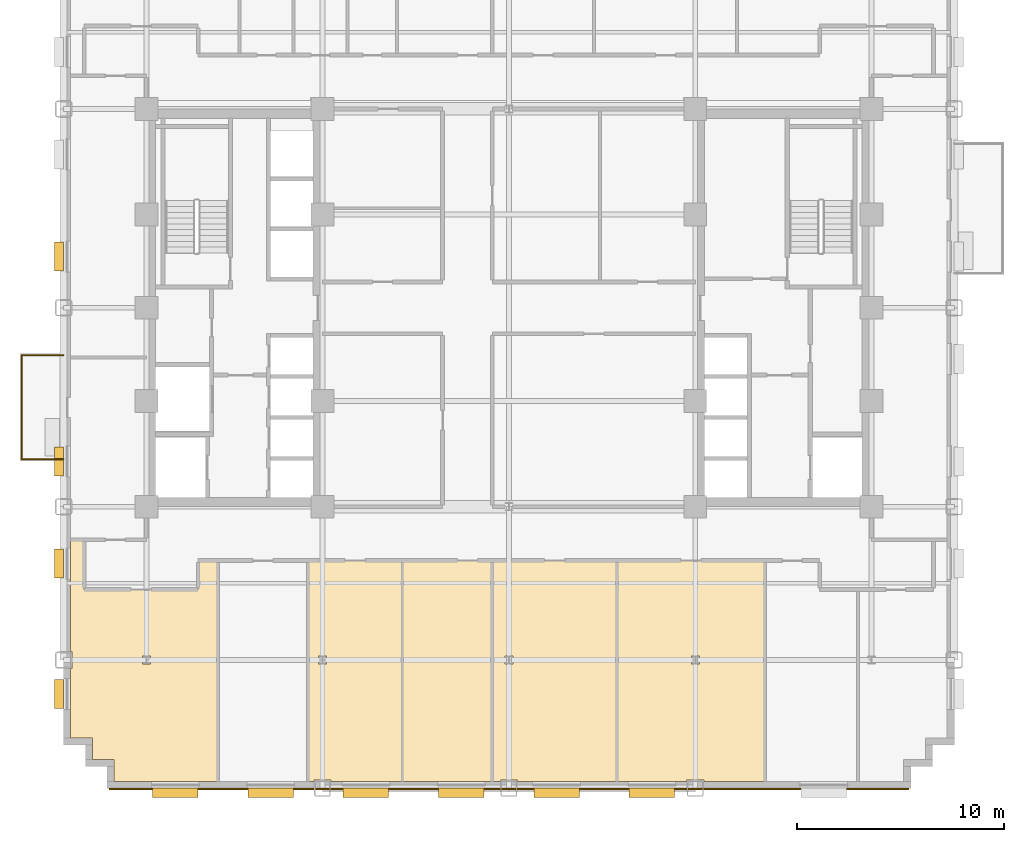
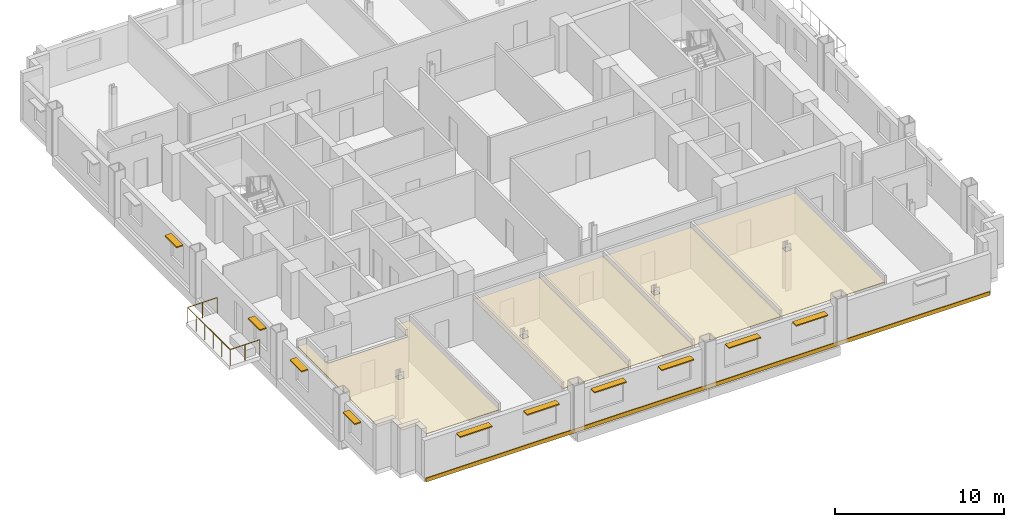
# One storey, part 11 of 14: 10 shading devices, 6 coverings, 1 railing.
"""IFC4 building model written with IfcOpenShell, lengths in metres."""

from ifc_helpers import new_model, si_unit, direction, frame, origin, origin_2d, place, context, subcontext, project, spatial, polyline, rectangle, circle, outline, extrude, source, transform, mapped, material, layer, layer_set, type_object, type_shapes, element, save


model = new_model("IFC4")

# Units and contexts
model_context = context("Model", 3, precision=1e-05, world=origin(), true_north=direction((0.0, 1.0)))
body_context = subcontext(model_context, "Body", "Model", "MODEL_VIEW")
ifc_project = project(units=[si_unit("LENGTHUNIT", "METRE"), si_unit("AREAUNIT", "SQUARE_METRE"), si_unit("VOLUMEUNIT", "CUBIC_METRE"), si_unit("PLANEANGLEUNIT", "RADIAN"), si_unit("MASSUNIT", "GRAM", prefix="KILO")], contexts=[model_context])

# Site, building, storey
site_placement = place(None, origin())
site = spatial("IfcSite", under=ifc_project, at=site_placement, CompositionType="ELEMENT")
building_placement = place(site_placement, origin())
building = spatial("IfcBuilding", under=site, at=building_placement, Name="Nuvemarco Arch Tower", CompositionType="ELEMENT")
storey_placement = place(building_placement, frame((0.0, 0.0, 75.050048828125)))
storey = spatial("IfcBuildingStorey", under=building, at=storey_placement, Name="L19", CompositionType="ELEMENT", Elevation=75.050048828125)

# Coverings
ifc_material_1 = material(Name="Mineral acoustic ceiling tile")
ifc_layer_1 = layer(ifc_material_1, 0.0400390625, Name="COV-ACOUSTIC-CLG")
ifc_layer_set_1 = layer_set([ifc_layer_1], Name="Mineral acoustic ceiling tile")
covering_type_1 = type_object("IfcCoveringType", Name="COV-ACOUSTIC-CLG", PredefinedType="CEILING", material=ifc_layer_set_1)
covering_1_placement = place(storey_placement, frame((0.0, 0.0, 2.849853515625)))
element("IfcCovering", 1, at=covering_1_placement, inside=storey, type_object=covering_type_1, Name="L19 suspended acoustic ceiling 3", PredefinedType="CEILING", context=body_context, shape_type="SweptSolid", body=[
    extrude(outline(polyline([(9.4150390625, -22.860107421875), (9.4150390625, -22.784912109375), (8.5849609375, -22.784912109375), (8.5849609375, -22.860107421875), (5.219970703125, -22.860107421875), (5.219970703125, -12.199951171875), (12.360107421875, -12.199951171875), (12.360107421875, -22.860107421875), (9.4150390625, -22.860107421875)]), holes=[polyline([(9.195068359375, -17.195068359375), (9.195068359375, -16.804931640625), (8.804931640625, -16.804931640625), (8.804931640625, -17.195068359375), (9.195068359375, -17.195068359375)])]), origin(), (0.0, 0.0, 1.0), 0.0400390625),
])
covering_2_placement = place(storey_placement, frame((0.0, 0.0, 2.849853515625)))
element("IfcCovering", 2, at=covering_2_placement, inside=storey, type_object=covering_type_1, Name="L19 suspended acoustic ceiling 5", PredefinedType="CEILING", context=body_context, shape_type="SweptSolid", body=[
    extrude(outline(polyline([(-21.159912109375, -20.760009765625), (-21.159912109375, -17.4150390625), (-21.0849609375, -17.4150390625), (-21.0849609375, -16.5849609375), (-21.159912109375, -16.5849609375), (-21.159912109375, -11.199951171875), (-20.5, -11.199951171875), (-20.5, -13.60009765625), (-15.0, -13.60009765625), (-15.0, -12.199951171875), (-14.050048828125, -12.199951171875), (-14.050048828125, -22.860107421875), (-19.06005859375, -22.860107421875), (-19.06005859375, -21.81005859375), (-20.110107421875, -21.81005859375), (-20.110107421875, -20.760009765625), (-21.159912109375, -20.760009765625)]), holes=[polyline([(-17.304931640625, -16.804931640625), (-17.695068359375, -16.804931640625), (-17.695068359375, -17.195068359375), (-17.304931640625, -17.195068359375), (-17.304931640625, -16.804931640625)])]), origin(), (0.0, 0.0, 1.0), 0.0400390625),
])
covering_3_placement = place(storey_placement, frame((0.0, 0.0, 2.849853515625)))
element("IfcCovering", 3, at=covering_3_placement, inside=storey, type_object=covering_type_1, Name="L19 suspended acoustic ceiling 6", PredefinedType="CEILING", context=body_context, shape_type="SweptSolid", body=[
    extrude(outline(polyline([(0.4150390625, -22.860107421875), (0.4150390625, -22.784912109375), (-0.4150390625, -22.784912109375), (-0.4150390625, -22.860107421875), (-0.800048828125, -22.860107421875), (-0.800048828125, -12.199951171875), (5.219970703125, -12.199951171875), (5.219970703125, -22.860107421875), (0.4150390625, -22.860107421875)]), holes=[polyline([(0.195068359375, -17.195068359375), (0.195068359375, -16.804931640625), (-0.195068359375, -16.804931640625), (-0.195068359375, -17.195068359375), (0.195068359375, -17.195068359375)])]), origin(), (0.0, 0.0, 1.0), 0.0400390625),
])
covering_4_placement = place(storey_placement, frame((0.0, 0.0, 2.849853515625)))
element("IfcCovering", 4, at=covering_4_placement, inside=storey, type_object=covering_type_1, Name="L19 suspended acoustic ceiling 8", PredefinedType="CEILING", context=body_context, shape_type="SweptSolid", body=[
    extrude(outline(polyline([(-8.5849609375, -22.860107421875), (-8.5849609375, -22.784912109375), (-9.4150390625, -22.784912109375), (-9.4150390625, -22.860107421875), (-9.699951171875, -22.860107421875), (-9.699951171875, -12.199951171875), (-5.14990234375, -12.199951171875), (-5.14990234375, -22.860107421875), (-8.5849609375, -22.860107421875)]), holes=[polyline([(-8.804931640625, -17.195068359375), (-8.804931640625, -16.804931640625), (-9.195068359375, -16.804931640625), (-9.195068359375, -17.195068359375), (-8.804931640625, -17.195068359375)])]), origin(), (0.0, 0.0, 1.0), 0.0400390625),
])
covering_5_placement = place(storey_placement, frame((0.0, 0.0, 2.849853515625)))
element("IfcCovering", 5, at=covering_5_placement, inside=storey, type_object=covering_type_1, Name="L19 suspended acoustic ceiling 9", PredefinedType="CEILING", context=body_context, shape_type="SweptSolid", body=[
    extrude(outline(polyline([(-0.800048828125, -22.860107421875), (-5.14990234375, -22.860107421875), (-5.14990234375, -12.199951171875), (-3.199951171875, -12.199951171875), (-0.800048828125, -12.199951171875), (-0.800048828125, -22.860107421875)])), origin(), (0.0, 0.0, 1.0), 0.0400390625),
])

# Railing
ifc_material_2 = material(Name="Dark anodised balustrade steel S355", Category="steel")
railing_type = type_object("IfcRailingType", Name="RL-TERR-GUARD", PredefinedType="BALUSTRADE", material=ifc_material_2)
railing_placement = place(storey_placement, frame((-21.5, -7.320068359375, 0.0)))
element("IfcRailing", 6, at=railing_placement, inside=storey, type_object=railing_type, Name="L19 tree balcony perimeter balustrade guard", PredefinedType="BALUSTRADE", context=body_context, shape_type="SweptSolid", body=[
    extrude(circle(Radius=0.02392578125, at=origin_2d()), frame((0.0, 0.0, 1.1259765625), z_axis=(-1.0, 0.0, 0.0), x_axis=(0.0, -1.0, 0.0)), (0.0, 0.0, 1.0), 2.02001953125),
    extrude(circle(Radius=0.02392578125, at=origin_2d()), frame((-2.02001953125, 0.0, 1.1259765625), z_axis=(0.0, 1.0, 0.0), x_axis=(-1.0, 0.0, 0.0)), (0.0, 0.0, 1.0), 5.0400390625),
    extrude(circle(Radius=0.02392578125, at=origin_2d()), frame((-2.02001953125, 5.0400390625, 1.1259765625), z_axis=(1.0, 0.0, 0.0), x_axis=(0.0, 1.0, 0.0)), (0.0, 0.0, 1.0), 2.02001953125),
    extrude(circle(Radius=0.02099609375, at=origin_2d()), origin(), (0.0, 0.0, 1.0), 1.101806640625),
    extrude(circle(Radius=0.02099609375, at=origin_2d()), frame((-1.010009765625, 0.0, 0.0)), (0.0, 0.0, 1.0), 1.101806640625),
    extrude(circle(Radius=0.02099609375, at=origin_2d()), frame((-2.02001953125, 0.0, 0.0)), (0.0, 0.0, 1.0), 1.101806640625),
    extrude(circle(Radius=0.02099609375, at=origin_2d()), frame((-2.02001953125, 1.008056640625, 0.0)), (0.0, 0.0, 1.0), 1.101806640625),
    extrude(circle(Radius=0.02099609375, at=origin_2d()), frame((-2.02001953125, 2.01611328125, 0.0)), (0.0, 0.0, 1.0), 1.101806640625),
    extrude(circle(Radius=0.02099609375, at=origin_2d()), frame((-2.02001953125, 3.02392578125, 0.0)), (0.0, 0.0, 1.0), 1.101806640625),
    extrude(circle(Radius=0.02099609375, at=origin_2d()), frame((-2.02001953125, 4.031982421875, 0.0)), (0.0, 0.0, 1.0), 1.101806640625),
    extrude(circle(Radius=0.02099609375, at=origin_2d()), frame((-2.02001953125, 5.0400390625, 0.0)), (0.0, 0.0, 1.0), 1.101806640625),
    extrude(circle(Radius=0.02099609375, at=origin_2d()), frame((-1.010009765625, 5.0400390625, 0.0)), (0.0, 0.0, 1.0), 1.101806640625),
    extrude(circle(Radius=0.02099609375, at=origin_2d()), frame((0.0, 5.0400390625, 0.0)), (0.0, 0.0, 1.0), 1.101806640625),
])

# Shading devices
ifc_material_3 = material(Name="Anodised aluminium 6063-T6", Category="aluminium")
shading_device_type_1 = type_object("IfcShadingDeviceType", Name="SHD-BRISE-SOLEIL", PredefinedType="USERDEFINED", material=ifc_material_3)
shared_shape_1 = source(origin(), body_context, "Body", "SweptSolid", [
    extrude(rectangle(XDim=2.199951171875, YDim=0.449951171875, at=origin_2d()), origin(), (0.0, 0.0, 1.0), 0.080078125),
])
type_shapes(shading_device_type_1, [shared_shape_1])
for number, where, z_axis, x_axis, name in (
    (7, (-16.10009765625, -23.4150390625, 2.4248046875), (0.0, 0.0, 1.0), (1.0, 0.0, 0.0), "L19 horizontal brise-soleil sunshade"),
    (8, (-11.5, -23.4150390625, 2.4248046875), (0.0, 0.0, 1.0), (1.0, 0.0, 0.0), "L19 horizontal brise-soleil sunshade"),
    (9, (-6.89990234375, -23.4150390625, 2.4248046875), (0.0, 0.0, 1.0), (1.0, 0.0, 0.0), "L19 horizontal brise-soleil sunshade"),
    (10, (-2.300048828125, -23.4150390625, 2.4248046875), (0.0, 0.0, 1.0), (1.0, 0.0, 0.0), "L19 horizontal brise-soleil sunshade"),
    (11, (2.300048828125, -23.4150390625, 2.4248046875), (0.0, 0.0, 1.0), (1.0, 0.0, 0.0), "L19 horizontal brise-soleil sunshade"),
    (12, (6.89990234375, -23.4150390625, 2.4248046875), (0.0, 0.0, 1.0), (1.0, 0.0, 0.0), "L19 horizontal brise-soleil sunshade"),
):
    element("IfcShadingDevice", number, at=place(storey_placement, frame(where, z_axis=z_axis, x_axis=x_axis)), inside=storey, type_object=shading_device_type_1, Name=name, ObjectType="SUNSHADE", PredefinedType="USERDEFINED", context=body_context, shape_type="MappedRepresentation", body=[
        mapped(shared_shape_1, transform((0.0, 0.0, 0.0), scale=1.0)),
    ])
shading_device_type_2 = type_object("IfcShadingDeviceType", Name="SHD-BRISE-NARROW", PredefinedType="USERDEFINED", material=ifc_material_3)
shared_shape_2 = source(origin(), body_context, "Body", "SweptSolid", [
    extrude(rectangle(XDim=1.39990234375, YDim=0.449951171875, at=origin_2d()), origin(), (0.0, 0.0, 1.0), 0.080078125),
])
type_shapes(shading_device_type_2, [shared_shape_2])
for number, where, z_axis, x_axis, name in (
    (13, (-21.715087890625, -18.6435546875, 2.405029296875), (0.0, 0.0, 1.0), (0.0, 1.0, 0.0), "L19 horizontal brise-soleil sunshade"),
    (14, (-21.715087890625, -12.3525390625, 2.405029296875), (0.0, 0.0, 1.0), (0.0, 1.0, 0.0), "L19 horizontal brise-soleil sunshade"),
    (15, (-21.715087890625, -7.41162109375, 2.405029296875), (0.0, 0.0, 1.0), (0.0, 1.0, 0.0), "L19 horizontal brise-soleil sunshade"),
    (16, (-21.715087890625, 2.470458984375, 2.405029296875), (0.0, 0.0, 1.0), (0.0, 1.0, 0.0), "L19 horizontal brise-soleil sunshade"),
):
    element("IfcShadingDevice", number, at=place(storey_placement, frame(where, z_axis=z_axis, x_axis=x_axis)), inside=storey, type_object=shading_device_type_2, Name=name, ObjectType="SUNSHADE", PredefinedType="USERDEFINED", context=body_context, shape_type="MappedRepresentation", body=[
        mapped(shared_shape_2, transform((0.0, 0.0, 0.0), scale=1.0)),
    ])

# Covering
ifc_material_4 = material(Name="Precast concrete C45/55", Category="concrete")
ifc_layer_2 = layer(ifc_material_4, 0.06005859375, Name="COV-SPANDREL-CLAD")
ifc_layer_set_2 = layer_set([ifc_layer_2], Name="Precast concrete C45/55")
covering_type_2 = type_object("IfcCoveringType", Name="COV-SPANDREL-CLAD", PredefinedType="CLADDING", material=ifc_layer_set_2)
shared_shape_3 = source(origin(), body_context, "Body", "SweptSolid", [
    extrude(rectangle(XDim=38.60009765625, YDim=0.06005859375, at=origin_2d()), origin(), (0.0, 0.0, 1.0), 0.280029296875),
])
type_shapes(covering_type_2, [shared_shape_3])
covering_6_placement = place(storey_placement, frame((0.0, -23.22900390625, -0.2802734375), z_axis=(0.0, 0.0, 1.0), x_axis=(1.0, 0.0, 0.0)))
element("IfcCovering", 17, at=covering_6_placement, inside=storey, type_object=covering_type_2, Name="L19 precast spandrel edge cladding south", PredefinedType="CLADDING", context=body_context, shape_type="MappedRepresentation", body=[
    mapped(shared_shape_3, transform((0.0, 0.0, 0.0), scale=1.0)),
])

save(model, "model.ifc")
